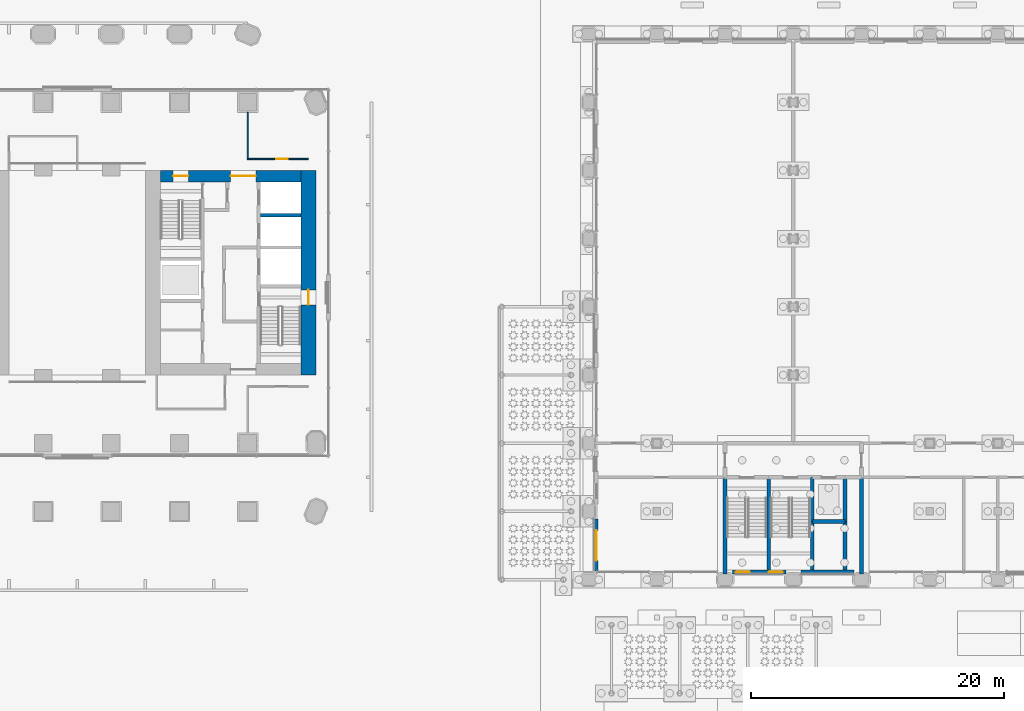
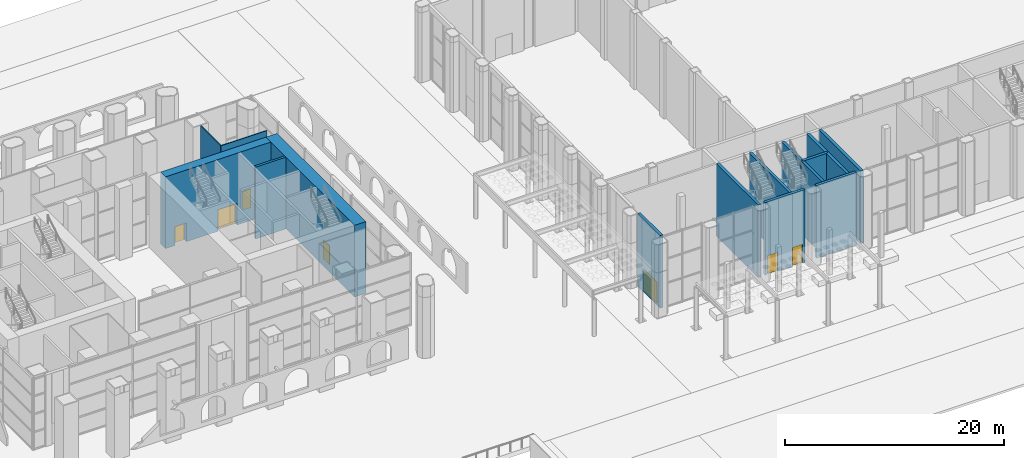
# One storey, part 32 of 54: 16 walls, 7 doors, 7 openings.
"""IFC4 building model written with IfcOpenShell, lengths in metres."""

from ifc_helpers import new_model, si_unit, direction, frame, frame_2d, origin, place, context, subcontext, project, spatial, rectangle, extrude, material, layer, layer_set, type_object, element, fill, save


model = new_model("IFC4")

# Units and contexts
model_context = context("Model", 3, precision=1e-05, world=origin(), true_north=direction((0.0, 1.0)))
body_context = subcontext(model_context, "Body", "Model", "MODEL_VIEW")
ifc_project = project(units=[si_unit("LENGTHUNIT", "METRE"), si_unit("AREAUNIT", "SQUARE_METRE"), si_unit("VOLUMEUNIT", "CUBIC_METRE"), si_unit("PLANEANGLEUNIT", "RADIAN"), si_unit("MASSUNIT", "GRAM", prefix="KILO")], contexts=[model_context])

# Site, building, storey
site_placement = place(None, origin())
site = spatial("IfcSite", under=ifc_project, at=site_placement, CompositionType="ELEMENT")
building_placement = place(site_placement, origin())
building = spatial("IfcBuilding", under=site, at=building_placement, Name="Tabaq Tower and Sports Hall", CompositionType="ELEMENT")
storey_placement = place(building_placement, origin())
storey = spatial("IfcBuildingStorey", under=building, at=storey_placement, Name="L00", CompositionType="ELEMENT", Elevation=0.0)

# Wall, opening, door
ifc_material_1 = material(Name="Concrete C60/75", Category="concrete")
ifc_layer_1 = layer(ifc_material_1, 1.199951171875)
ifc_layer_set_1 = layer_set([ifc_layer_1], Name="Core wall 1200 Concrete C60/75")
wall_type_1 = type_object("IfcWallType", Name="Core wall 1200 Concrete C60/75", PredefinedType="SOLIDWALL", material=ifc_layer_set_1)
wall_1_placement = place(storey_placement, frame((42.60009765625, 32.39990234375, 0.0), z_axis=(0.0, 0.0, 1.0), x_axis=(0.0, -1.0, 0.0)))
wall_1 = element("IfcWall", 1, at=wall_1_placement, inside=storey, type_object=wall_type_1, Name="Core wall E L00", PredefinedType="SOLIDWALL", context=body_context, shape_type="SweptSolid", body=[
    extrude(rectangle(XDim=16.199951171875, YDim=1.199951171875, at=frame_2d((8.10009765625, 0.0))), origin(), (0.0, 0.0, 1.0), 8.0),
])
opening_1_placement = place(wall_1_placement, frame((9.449951171875, 0.0, 0.0)))
opening_1 = element("IfcOpeningElement", 2, at=opening_1_placement, cuts=wall_1, Name="Opening ED-EL00-13", PredefinedType="OPENING", context=body_context, shape_type="SweptSolid", body=[
    extrude(rectangle(XDim=1.199951171875, YDim=2.10009765625, at=frame_2d((0.60009765625, 1.050048828125))), frame((0.0, 0.60009765625, 0.0), z_axis=(0.0, -1.0, 0.0), x_axis=(1.0, 0.0, 0.0)), (0.0, 0.0, 1.0), 1.199951171875),
])
ifc_material_2 = material(Name="Steel fire door", Category="steel")
door_type_1 = type_object("IfcDoorType", Name="Core exit door 1200", OperationType="DOUBLE_DOOR_SINGLE_SWING", PredefinedType="DOOR", material=ifc_material_2)
door_1_placement = place(opening_1_placement, origin())
door_1 = element("IfcDoor", 3, at=door_1_placement, inside=storey, type_object=door_type_1, Name="Exit door ST3 E L00", OperationType="DOUBLE_DOOR_SINGLE_SWING", OverallHeight=2.10009765625, OverallWidth=1.199951171875, PredefinedType="DOOR", context=body_context, shape_type="SweptSolid", body=[
    extrude(rectangle(XDim=1.199951171875, YDim=2.10009765625, at=frame_2d((0.60009765625, 1.050048828125))), frame((0.0, 0.02490234375, 0.0), z_axis=(0.0, -1.0, 0.0), x_axis=(1.0, 0.0, 0.0)), (0.0, 0.0, 1.0), 0.050048828125),
])
fill(opening_1, door_1)

# Wall, openings, doors
ifc_material_3 = material(Name="Concrete C60/75", Category="concrete")
ifc_layer_2 = layer(ifc_material_3, 0.89990234375)
ifc_layer_set_2 = layer_set([ifc_layer_2], Name="Core wall 900 Concrete C60/75")
wall_type_2 = type_object("IfcWallType", Name="Core wall 900 Concrete C60/75", PredefinedType="SOLIDWALL", material=ifc_layer_set_2)
wall_2_placement = place(storey_placement, frame((30.89990234375, 31.949951171875, 0.0), z_axis=(0.0, 0.0, 1.0), x_axis=(1.0, 0.0, 0.0)))
wall_2 = element("IfcWall", 4, at=wall_2_placement, inside=storey, type_object=wall_type_2, Name="Core wall E L00", PredefinedType="SOLIDWALL", context=body_context, shape_type="SweptSolid", body=[
    extrude(rectangle(XDim=11.10009765625, YDim=0.89990234375, at=frame_2d((5.550048828125, 0.0))), origin(), (0.0, 0.0, 1.0), 8.0),
])
opening_2_placement = place(wall_2_placement, frame((5.550048828125, 0.0, 0.0)))
opening_2 = element("IfcOpeningElement", 5, at=opening_2_placement, cuts=wall_2, Name="Opening PD-EL00-02", PredefinedType="OPENING", context=body_context, shape_type="SweptSolid", body=[
    extrude(rectangle(XDim=2.0, YDim=2.39990234375, at=frame_2d((1.0, 1.199951171875))), frame((0.0, 0.449951171875, 0.0), z_axis=(0.0, -1.0, 0.0), x_axis=(1.0, 0.0, 0.0)), (0.0, 0.0, 1.0), 0.89990234375),
])
opening_3_placement = place(wall_2_placement, frame((1.0, 0.0, 0.0)))
opening_3 = element("IfcOpeningElement", 6, at=opening_3_placement, cuts=wall_2, Name="Opening ED-EL00-14", PredefinedType="OPENING", context=body_context, shape_type="SweptSolid", body=[
    extrude(rectangle(XDim=1.199951171875, YDim=2.10009765625, at=frame_2d((0.60009765625, 1.050048828125))), frame((0.0, 0.449951171875, 0.0), z_axis=(0.0, -1.0, 0.0), x_axis=(1.0, 0.0, 0.0)), (0.0, 0.0, 1.0), 0.89990234375),
])
ifc_material_4 = material(Name="Steel fire door", Category="steel")
door_type_2 = type_object("IfcDoorType", Name="Core entrance door 2000", OperationType="DOUBLE_DOOR_SINGLE_SWING", PredefinedType="DOOR", material=ifc_material_4)
door_2_placement = place(opening_2_placement, origin())
door_2 = element("IfcDoor", 7, at=door_2_placement, inside=storey, type_object=door_type_2, Name="Core entrance north E L00", OperationType="DOUBLE_DOOR_SINGLE_SWING", OverallHeight=2.39990234375, OverallWidth=2.0, PredefinedType="DOOR", context=body_context, shape_type="SweptSolid", body=[
    extrude(rectangle(XDim=2.0, YDim=2.39990234375, at=frame_2d((1.0, 1.199951171875))), frame((0.0, 0.02490234375, 0.0), z_axis=(0.0, -1.0, 0.0), x_axis=(1.0, 0.0, 0.0)), (0.0, 0.0, 1.0), 0.050048828125),
])
fill(opening_2, door_2)
door_3_placement = place(opening_3_placement, origin())
door_3 = element("IfcDoor", 8, at=door_3_placement, inside=storey, type_object=door_type_1, Name="Exit door ST4 E L00", OperationType="DOUBLE_DOOR_SINGLE_SWING", OverallHeight=2.10009765625, OverallWidth=1.199951171875, PredefinedType="DOOR", context=body_context, shape_type="SweptSolid", body=[
    extrude(rectangle(XDim=1.199951171875, YDim=2.10009765625, at=frame_2d((0.60009765625, 1.050048828125))), frame((0.0, 0.02490234375, 0.0), z_axis=(0.0, -1.0, 0.0), x_axis=(1.0, 0.0, 0.0)), (0.0, 0.0, 1.0), 0.050048828125),
])
fill(opening_3, door_3)

# Walls
ifc_material_5 = material(Name="Concrete C50/60", Category="concrete")
ifc_layer_3 = layer(ifc_material_5, 0.300048828125)
ifc_layer_set_3 = layer_set([ifc_layer_3], Name="HALL CORE WALL RC 300 C50/60")
wall_type_3 = type_object("IfcWallType", Name="HALL CORE WALL RC 300 C50/60", PredefinedType="SHEAR", material=ifc_layer_set_3)
for number, where, z_axis, x_axis, name in (
    (9, (75.60009765625, 0.449951171875, 0.0), (0.0, 0.0, 1.0), (0.0, 1.0, 0.0), "L00 core wall 002"),
    (10, (86.39990234375, 0.449951171875, 0.0), (0.0, 0.0, 1.0), (0.0, 1.0, 0.0), "L00 core wall 008"),
):
    element("IfcWall", number, at=place(storey_placement, frame(where, z_axis=z_axis, x_axis=x_axis)), inside=storey, type_object=wall_type_3, Name=name, PredefinedType="SHEAR", context=body_context, shape_type="SweptSolid", body=[
        extrude(rectangle(XDim=7.650146484375, YDim=0.300048828125, at=frame_2d((3.8251953125, 0.0))), origin(), (0.0, 0.0, 1.0), 8.10009765625),
    ])
wall_3_placement = place(storey_placement, frame((79.050048828125, 0.75, 0.0), z_axis=(0.0, 0.0, 1.0), x_axis=(0.0, 1.0, 0.0)))
element("IfcWall", 11, at=wall_3_placement, inside=storey, type_object=wall_type_3, Name="L00 core wall 037", PredefinedType="SHEAR", context=body_context, shape_type="SweptSolid", body=[
    extrude(rectangle(XDim=7.35009765625, YDim=0.300048828125, at=frame_2d((3.675048828125, 0.0))), origin(), (0.0, 0.0, 1.0), 8.10009765625),
])
wall_4_placement = place(storey_placement, frame((82.5, 4.60009765625, 0.0), z_axis=(0.0, 0.0, 1.0), x_axis=(0.0, 1.0, 0.0)))
element("IfcWall", 12, at=wall_4_placement, inside=storey, type_object=wall_type_3, Name="L00 core wall 039", PredefinedType="SHEAR", context=body_context, shape_type="SweptSolid", body=[
    extrude(rectangle(XDim=3.5, YDim=0.300048828125, at=frame_2d((1.75, 0.0))), origin(), (0.0, 0.0, 1.0), 8.10009765625),
])
wall_5_placement = place(storey_placement, frame((82.5, 0.75, 0.0), z_axis=(0.0, 0.0, 1.0), x_axis=(0.0, 1.0, 0.0)))
element("IfcWall", 13, at=wall_5_placement, inside=storey, type_object=wall_type_3, Name="L00 core wall 040", PredefinedType="SHEAR", context=body_context, shape_type="SweptSolid", body=[
    extrude(rectangle(XDim=3.85009765625, YDim=0.300048828125, at=frame_2d((1.925048828125, 0.0))), origin(), (0.0, 0.0, 1.0), 8.10009765625),
])
wall_6_placement = place(storey_placement, frame((82.5, 4.60009765625, 0.0), z_axis=(0.0, 0.0, 1.0), x_axis=(1.0, 0.0, 0.0)))
element("IfcWall", 14, at=wall_6_placement, inside=storey, type_object=wall_type_3, Name="L00 core wall 042", PredefinedType="SHEAR", context=body_context, shape_type="SweptSolid", body=[
    extrude(rectangle(XDim=2.60009765625, YDim=0.300048828125, at=frame_2d((1.300048828125, 0.0))), origin(), (0.0, 0.0, 1.0), 8.10009765625),
])
wall_7_placement = place(storey_placement, frame((85.10009765625, 4.60009765625, 0.0), z_axis=(0.0, 0.0, 1.0), x_axis=(0.0, 1.0, 0.0)))
element("IfcWall", 15, at=wall_7_placement, inside=storey, type_object=wall_type_3, Name="L00 core wall 043", PredefinedType="SHEAR", context=body_context, shape_type="SweptSolid", body=[
    extrude(rectangle(XDim=3.5, YDim=0.300048828125, at=frame_2d((1.75, 0.0))), origin(), (0.0, 0.0, 1.0), 8.10009765625),
])
wall_8_placement = place(storey_placement, frame((85.10009765625, 0.75, 0.0), z_axis=(0.0, 0.0, 1.0), x_axis=(0.0, 1.0, 0.0)))
element("IfcWall", 16, at=wall_8_placement, inside=storey, type_object=wall_type_3, Name="L00 core wall 045", PredefinedType="SHEAR", context=body_context, shape_type="SweptSolid", body=[
    extrude(rectangle(XDim=3.85009765625, YDim=0.300048828125, at=frame_2d((1.925048828125, 0.0))), origin(), (0.0, 0.0, 1.0), 8.10009765625),
])

# Wall, opening, door
ifc_material_6 = material(Name="Gypsum board on steel studs", Category="steel")
ifc_layer_4 = layer(ifc_material_6, 0.10009765625)
ifc_layer_set_4 = layer_set([ifc_layer_4], Name="Partition 100 Gypsum board")
wall_type_4 = type_object("IfcWallType", Name="Partition 100 Gypsum board", PredefinedType="PARTITIONING", material=ifc_layer_set_4)
wall_9_placement = place(storey_placement, frame((42.60009765625, 33.300048828125, 0.0), z_axis=(0.0, 0.0, 1.0), x_axis=(-1.0, 0.0, 0.0)))
wall_9 = element("IfcWall", 17, at=wall_9_placement, inside=storey, type_object=wall_type_4, Name="Partition wall L00", PredefinedType="PARTITIONING", context=body_context, shape_type="SweptSolid", body=[
    extrude(rectangle(XDim=4.85009765625, YDim=0.10009765625, at=frame_2d((2.425048828125, 0.0))), origin(), (0.0, 0.0, 1.0), 8.0),
])
opening_4_placement = place(wall_9_placement, frame((1.64990234375, 0.0, 0.0)))
opening_4 = element("IfcOpeningElement", 18, at=opening_4_placement, cuts=wall_9, Name="Opening L00-004", PredefinedType="OPENING", context=body_context, shape_type="SweptSolid", body=[
    extrude(rectangle(XDim=0.89990234375, YDim=2.10009765625, at=frame_2d((0.449951171875, 1.050048828125))), frame((0.0, 0.050048828125, 0.0), z_axis=(0.0, -1.0, 0.0), x_axis=(1.0, 0.0, 0.0)), (0.0, 0.0, 1.0), 0.10009765625),
])
ifc_material_7 = material(Name="Timber leaf in steel frame", Category="steel")
door_type_3 = type_object("IfcDoorType", Name="Internal door 900 right hand", OperationType="SINGLE_SWING_RIGHT", PredefinedType="DOOR", material=ifc_material_7)
door_4_placement = place(opening_4_placement, origin())
door_4 = element("IfcDoor", 19, at=door_4_placement, inside=storey, type_object=door_type_3, Name="Internal door L00-004", OperationType="SINGLE_SWING_RIGHT", OverallHeight=2.10009765625, OverallWidth=0.89990234375, PredefinedType="DOOR", context=body_context, shape_type="SweptSolid", body=[
    extrude(rectangle(XDim=0.89990234375, YDim=2.10009765625, at=frame_2d((0.449951171875, 1.050048828125))), frame((0.0, 0.02490234375, 0.0), z_axis=(0.0, -1.0, 0.0), x_axis=(1.0, 0.0, 0.0)), (0.0, 0.0, 1.0), 0.050048828125),
])
fill(opening_4, door_4)

# Walls
wall_10_placement = place(storey_placement, frame((37.800048828125, 33.35009765625, 0.0), z_axis=(0.0, 0.0, 1.0), x_axis=(0.0, 1.0, 0.0)))
element("IfcWall", 20, at=wall_10_placement, inside=storey, type_object=wall_type_4, Name="Partition wall L00", PredefinedType="PARTITIONING", context=body_context, shape_type="SweptSolid", body=[
    extrude(rectangle(XDim=3.649169921875, YDim=0.10009765625, at=frame_2d((1.82470703125, 0.0))), origin(), (0.0, 0.0, 1.0), 8.0),
])
ifc_material_8 = material(Name="Concrete C40/50", Category="concrete")
ifc_layer_5 = layer(ifc_material_8, 0.25)
ifc_layer_set_5 = layer_set([ifc_layer_5], Name="Shaft and stair wall 250 Concrete C40/50")
wall_type_5 = type_object("IfcWallType", Name="Shaft and stair wall 250 Concrete C40/50", PredefinedType="SOLIDWALL", material=ifc_layer_set_5)
wall_11_placement = place(storey_placement, frame((38.800048828125, 28.85009765625, 0.0), z_axis=(0.0, 0.0, 1.0), x_axis=(1.0, 0.0, 0.0)))
element("IfcWall", 21, at=wall_11_placement, inside=storey, type_object=wall_type_5, Name="Shaft wall E L00", PredefinedType="SOLIDWALL", context=body_context, shape_type="SweptSolid", body=[
    extrude(rectangle(XDim=3.199951171875, YDim=0.25, at=frame_2d((1.60009765625, 0.0))), origin(), (0.0, 0.0, 1.0), 8.0),
])

# Wall, openings, doors
ifc_material_9 = material(Name="White precast concrete C60/75", Category="concrete")
ifc_layer_6 = layer(ifc_material_9, 0.300048828125)
ifc_layer_set_6 = layer_set([ifc_layer_6], Name="White precast concrete C60/75 external wall 300")
wall_type_6 = type_object("IfcWallType", Name="White precast concrete C60/75 external wall 300", PredefinedType="SOLIDWALL", material=ifc_layer_set_6)
wall_12_placement = place(storey_placement, frame((76.199951171875, 0.60009765625, 0.0), z_axis=(0.0, 0.0, 1.0), x_axis=(1.0, 0.0, 0.0)))
wall_12 = element("IfcWall", 22, at=wall_12_placement, inside=storey, type_object=wall_type_6, Name="L00 S facade panel", PredefinedType="SOLIDWALL", context=body_context, shape_type="SweptSolid", body=[
    extrude(rectangle(XDim=4.199951171875, YDim=0.300048828125, at=frame_2d((2.10009765625, 0.0))), origin(), (0.0, 0.0, 1.0), 8.10009765625),
])
opening_5_placement = place(wall_12_placement, frame((0.25, 0.0, 0.0)))
opening_5 = element("IfcOpeningElement", 23, at=opening_5_placement, cuts=wall_12, Name="Opening HD001", PredefinedType="OPENING", context=body_context, shape_type="SweptSolid", body=[
    extrude(rectangle(XDim=1.10009765625, YDim=2.10009765625, at=frame_2d((0.550048828125, 1.050048828125))), frame((0.0, 0.14990234375, 0.0), z_axis=(0.0, -1.0, 0.0), x_axis=(1.0, 0.0, 0.0)), (0.0, 0.0, 1.0), 0.300048828125),
])
opening_6_placement = place(wall_12_placement, frame((2.85009765625, 0.0, 0.0)))
opening_6 = element("IfcOpeningElement", 24, at=opening_6_placement, cuts=wall_12, Name="Opening HD002", PredefinedType="OPENING", context=body_context, shape_type="SweptSolid", body=[
    extrude(rectangle(XDim=1.10009765625, YDim=2.10009765625, at=frame_2d((0.550048828125, 1.050048828125))), frame((0.0, 0.14990234375, 0.0), z_axis=(0.0, -1.0, 0.0), x_axis=(1.0, 0.0, 0.0)), (0.0, 0.0, 1.0), 0.300048828125),
])
ifc_material_10 = material(Name="Steel fire door leaf in steel frame", Category="steel")
door_type_4 = type_object("IfcDoorType", Name="HALL FIRE DOOR 1100x2100", OperationType="SINGLE_SWING_LEFT", PredefinedType="DOOR", material=ifc_material_10)
door_5_placement = place(opening_5_placement, origin())
door_5 = element("IfcDoor", 25, at=door_5_placement, inside=storey, type_object=door_type_4, Name="Door HD001", OperationType="SINGLE_SWING_LEFT", OverallHeight=2.10009765625, OverallWidth=1.10009765625, PredefinedType="DOOR", context=body_context, shape_type="SweptSolid", body=[
    extrude(rectangle(XDim=1.10009765625, YDim=2.10009765625, at=frame_2d((0.550048828125, 1.050048828125))), frame((0.0, 0.02490234375, 0.0), z_axis=(0.0, -1.0, 0.0), x_axis=(1.0, 0.0, 0.0)), (0.0, 0.0, 1.0), 0.050048828125),
])
fill(opening_5, door_5)
door_6_placement = place(opening_6_placement, origin())
door_6 = element("IfcDoor", 26, at=door_6_placement, inside=storey, type_object=door_type_4, Name="Door HD002", OperationType="SINGLE_SWING_LEFT", OverallHeight=2.10009765625, OverallWidth=1.10009765625, PredefinedType="DOOR", context=body_context, shape_type="SweptSolid", body=[
    extrude(rectangle(XDim=1.10009765625, YDim=2.10009765625, at=frame_2d((0.550048828125, 1.050048828125))), frame((0.0, 0.02490234375, 0.0), z_axis=(0.0, -1.0, 0.0), x_axis=(1.0, 0.0, 0.0)), (0.0, 0.0, 1.0), 0.050048828125),
])
fill(opening_6, door_6)

# Wall
wall_13_placement = place(storey_placement, frame((81.60009765625, 0.60009765625, 0.0), z_axis=(0.0, 0.0, 1.0), x_axis=(1.0, 0.0, 0.0)))
element("IfcWall", 27, at=wall_13_placement, inside=storey, type_object=wall_type_6, Name="L00 S facade panel", PredefinedType="SOLIDWALL", context=body_context, shape_type="SweptSolid", body=[
    extrude(rectangle(XDim=4.199951171875, YDim=0.300048828125, at=frame_2d((2.10009765625, 0.0))), origin(), (0.0, 0.0, 1.0), 8.10009765625),
])

# Wall, opening, door
wall_14_placement = place(storey_placement, frame((65.39990234375, 0.699951171875, 0.0), z_axis=(0.0, 0.0, 1.0), x_axis=(0.0, 1.0, 0.0)))
wall_14 = element("IfcWall", 28, at=wall_14_placement, inside=storey, type_object=wall_type_6, Name="L00 W facade panel", PredefinedType="SOLIDWALL", context=body_context, shape_type="SweptSolid", body=[
    extrude(rectangle(XDim=4.10009765625, YDim=0.300048828125, at=frame_2d((2.050048828125, 0.0))), origin(), (0.0, 0.0, 1.0), 8.10009765625),
])
opening_7_placement = place(wall_14_placement, frame((0.800048828125, 0.0, 0.0)))
opening_7 = element("IfcOpeningElement", 29, at=opening_7_placement, cuts=wall_14, Name="Opening HD010", PredefinedType="OPENING", context=body_context, shape_type="SweptSolid", body=[
    extrude(rectangle(XDim=2.39990234375, YDim=2.39990234375, at=frame_2d((1.199951171875, 1.199951171875))), frame((0.0, 0.14990234375, 0.0), z_axis=(0.0, -1.0, 0.0), x_axis=(1.0, 0.0, 0.0)), (0.0, 0.0, 1.0), 0.300048828125),
])
ifc_material_11 = material(Name="Aluminium framed glazed door leaves", Category="aluminium")
door_type_5 = type_object("IfcDoorType", Name="HALL ENTRANCE DOOR SLIDING 2400x2400", OperationType="SLIDING_TO_LEFT", PredefinedType="DOOR", material=ifc_material_11)
door_7_placement = place(opening_7_placement, origin())
door_7 = element("IfcDoor", 30, at=door_7_placement, inside=storey, type_object=door_type_5, Name="Door HD010", OperationType="SLIDING_TO_LEFT", OverallHeight=2.39990234375, OverallWidth=2.39990234375, PredefinedType="DOOR", context=body_context, shape_type="SweptSolid", body=[
    extrude(rectangle(XDim=2.39990234375, YDim=2.39990234375, at=frame_2d((1.199951171875, 1.199951171875))), frame((0.0, 0.02490234375, 0.0), z_axis=(0.0, -1.0, 0.0), x_axis=(1.0, 0.0, 0.0)), (0.0, 0.0, 1.0), 0.050048828125),
])
fill(opening_7, door_7)

save(model, "model.ifc")
